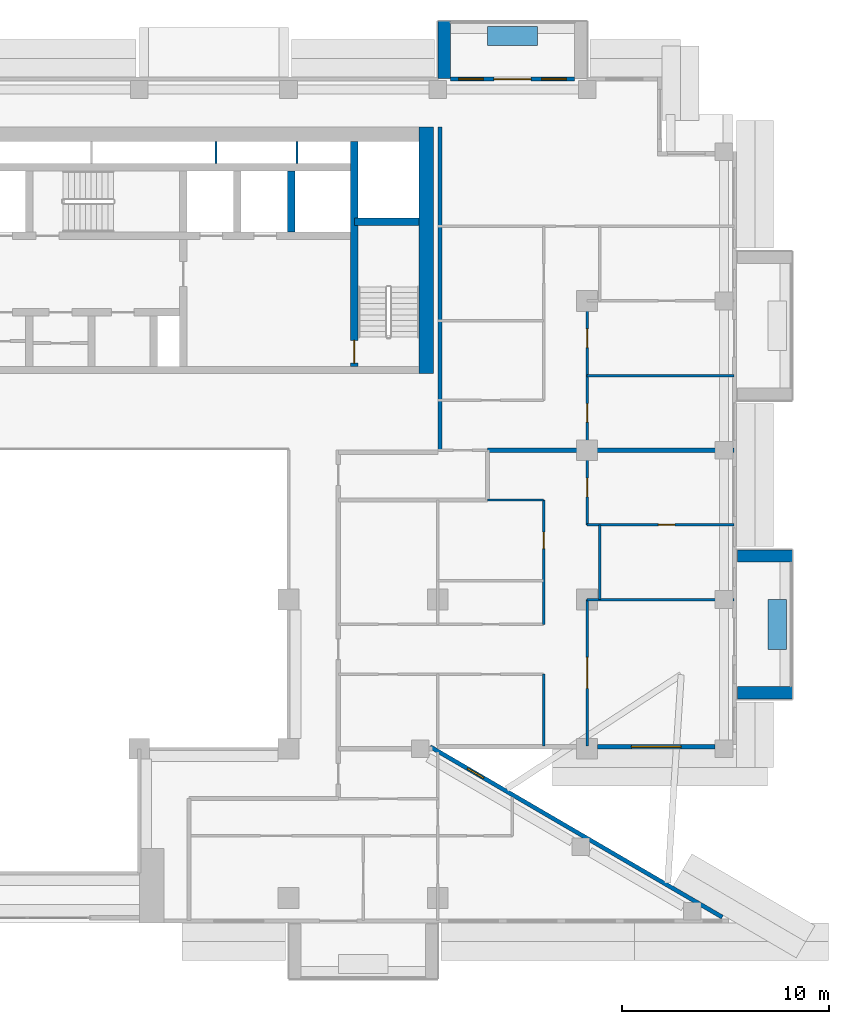
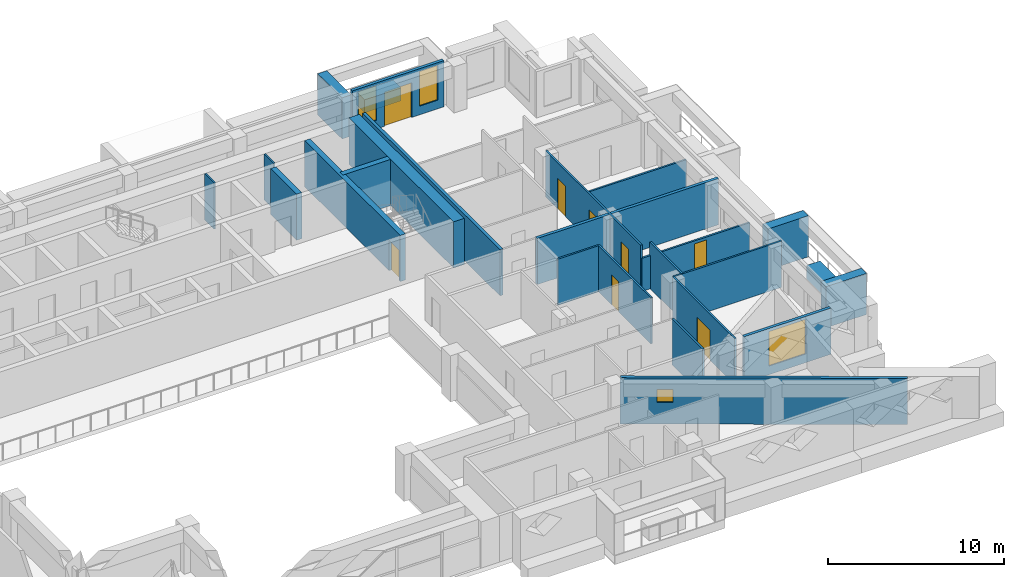
# One storey, part 11 of 20: 25 walls, 8 doors, 4 windows, 12 openings.
"""IFC4 building model written with IfcOpenShell, lengths in metres."""

from ifc_helpers import new_model, si_unit, direction, frame, frame_2d, origin, place, context, subcontext, project, spatial, rectangle, extrude, material, layer, layer_set, type_object, element, fill, save


model = new_model("IFC4")

# Units and contexts
model_context = context("Model", 3, precision=1e-05, world=origin(), true_north=direction((0.0, 1.0)))
body_context = subcontext(model_context, "Body", "Model", "MODEL_VIEW")
ifc_project = project(units=[si_unit("LENGTHUNIT", "METRE"), si_unit("AREAUNIT", "SQUARE_METRE"), si_unit("VOLUMEUNIT", "CUBIC_METRE"), si_unit("PLANEANGLEUNIT", "RADIAN"), si_unit("MASSUNIT", "GRAM", prefix="KILO")], contexts=[model_context])

# Site, building, storey
site_placement = place(None, origin())
site = spatial("IfcSite", under=ifc_project, at=site_placement, CompositionType="ELEMENT")
building_placement = place(site_placement, origin())
building = spatial("IfcBuilding", under=site, at=building_placement, Name="Saffron Iwan Residences", CompositionType="ELEMENT")
storey_placement = place(building_placement, frame((0.0, 0.0, 167.5)))
storey = spatial("IfcBuildingStorey", under=building, at=storey_placement, Name="L44", CompositionType="ELEMENT", Elevation=167.5)

# Walls
ifc_material_1 = material(Name="Concrete C50/60 white painted", Category="concrete")
ifc_layer_1 = layer(ifc_material_1, 0.60009765625)
ifc_layer_set_1 = layer_set([ifc_layer_1], Name="Concrete C50/60 white painted")
wall_type_1 = type_object("IfcWallType", Name="BALCONY FIN 600", PredefinedType="SOLIDWALL", material=ifc_layer_set_1)
for number, where, z_axis, x_axis, name in (
    (1, (86.449951171875, 50.699951171875, 0.0), (0.0, 0.0, 1.0), (1.0, 0.0, 0.0), "Balcony fin L44 F2-0a"),
    (2, (86.449951171875, 57.300048828125, 0.0), (0.0, 0.0, 1.0), (1.0, 0.0, 0.0), "Balcony fin L44 F2-0b"),
):
    element("IfcWall", number, at=place(storey_placement, frame(where, z_axis=z_axis, x_axis=x_axis)), inside=storey, type_object=wall_type_1, Name=name, PredefinedType="SOLIDWALL", context=body_context, shape_type="SweptSolid", body=[
        extrude(rectangle(XDim=2.650146484375, YDim=0.60009765625, at=frame_2d((1.3251953125, 0.0))), origin(), (0.0, 0.0, 1.0), 2.85009765625),
    ])
wall_1_placement = place(storey_placement, frame((72.300048828125, 80.324951171875, 0.0), z_axis=(0.0, 0.0, 1.0), x_axis=(0.0, 1.0, 0.0)))
element("IfcWall", 3, at=wall_1_placement, inside=storey, type_object=wall_type_1, Name="Balcony fin L44 F5-0b", PredefinedType="SOLIDWALL", context=body_context, shape_type="SweptSolid", body=[
    extrude(rectangle(XDim=2.775146484375, YDim=0.60009765625, at=frame_2d((1.3876953125, 0.0))), origin(), (0.0, 0.0, 1.0), 2.85009765625),
])
ifc_material_2 = material(Name="Concrete C35/45 white painted", Category="concrete")
ifc_layer_2 = layer(ifc_material_2, 0.14990234375)
ifc_layer_set_2 = layer_set([ifc_layer_2], Name="Concrete C35/45 white painted")
wall_type_2 = type_object("IfcWallType", Name="BALCONY PLANTER", PredefinedType="SOLIDWALL", material=ifc_layer_set_2)
wall_2_placement = place(storey_placement, frame((88.375, 52.800048828125, 0.0), z_axis=(0.0, 0.0, 1.0), x_axis=(0.0, 1.0, 0.0)))
element("IfcWall", 4, at=wall_2_placement, inside=storey, type_object=wall_type_2, Name="PLANTER L44 F2-0", PredefinedType="SOLIDWALL", context=body_context, shape_type="SweptSolid", body=[
    extrude(rectangle(XDim=2.39990234375, YDim=0.89990234375, at=frame_2d((1.199951171875, 0.0))), origin(), (0.0, 0.0, 1.0), 0.89990234375),
])
wall_3_placement = place(storey_placement, frame((76.800048828125, 82.375, 0.0), z_axis=(0.0, 0.0, 1.0), x_axis=(-1.0, 0.0, 0.0)))
element("IfcWall", 5, at=wall_3_placement, inside=storey, type_object=wall_type_2, Name="PLANTER L44 F5-0", PredefinedType="SOLIDWALL", context=body_context, shape_type="SweptSolid", body=[
    extrude(rectangle(XDim=2.400146484375, YDim=0.89990234375, at=frame_2d((1.2001953125, 0.0))), origin(), (0.0, 0.0, 1.0), 0.89990234375),
])

# Wall, opening, window
ifc_material_3 = material(Name="Concrete C40/50", Category="concrete")
ifc_layer_3 = layer(ifc_material_3, 0.199951171875)
ifc_layer_set_3 = layer_set([ifc_layer_3], Name="Concrete C40/50")
wall_type_3 = type_object("IfcWallType", Name="EXTERNAL WALL 200", PredefinedType="SOLIDWALL", material=ifc_layer_set_3)
wall_4_placement = place(storey_placement, frame((85.71923828125, 39.88134765625, 0.0), z_axis=(0.0, 0.0, 1.0), x_axis=(-0.86377618652, 0.503875678716, 0.0)))
wall_4 = element("IfcWall", 6, at=wall_4_placement, inside=storey, type_object=wall_type_3, Name="External wall L44 F0.0", PredefinedType="SOLIDWALL", context=body_context, shape_type="SweptSolid", body=[
    extrude(rectangle(XDim=16.31103515625, YDim=0.199951171875, at=frame_2d((8.155517578125, 0.0))), origin(), (0.0, 0.0, 1.0), 3.199951171875),
])
opening_1_placement = place(wall_4_placement, frame((13.32568359375, 0.0, 1.5)))
opening_1 = element("IfcOpeningElement", 7, at=opening_1_placement, cuts=wall_4, Name="Opening W6", PredefinedType="OPENING", context=body_context, shape_type="SweptSolid", body=[
    extrude(rectangle(XDim=0.89990234375, YDim=0.89990234375, at=frame_2d((0.449951171875, 0.449951171875))), frame((0.0, 0.10986328125, 0.0), z_axis=(0.0, -1.0, 0.0), x_axis=(1.0, 0.0, 0.0)), (0.0, 0.0, 1.0), 0.219970703125),
])
ifc_material_4 = material(Name="Clear glass, laminated double glazed", Category="glass")
window_type_1 = type_object("IfcWindowType", Name="WINDOW 900 x 900 BATH", PartitioningType="SINGLE_PANEL", PredefinedType="WINDOW", material=ifc_material_4)
window_1_placement = place(opening_1_placement, origin())
window_1 = element("IfcWindow", 8, at=window_1_placement, inside=storey, type_object=window_type_1, Name="Window L44 F0.0", OverallHeight=0.89990234375, OverallWidth=0.89990234375, PartitioningType="SINGLE_PANEL", PredefinedType="WINDOW", context=body_context, shape_type="SweptSolid", body=[
    extrude(rectangle(XDim=0.89990234375, YDim=0.89990234375, at=frame_2d((0.449951171875, 0.449951171875))), frame((0.0, 0.030029296875, 0.0), z_axis=(0.0, -1.0, 0.0), x_axis=(1.0, 0.0, 0.0)), (0.0, 0.0, 1.0), 0.06005859375),
])
fill(opening_1, window_1)

wall_5_placement = place(storey_placement, frame((79.699951171875, 48.10009765625, 0.0), z_axis=(0.0, 0.0, 1.0), x_axis=(1.0, 0.0, 0.0)))
wall_5 = element("IfcWall", 9, at=wall_5_placement, inside=storey, type_object=wall_type_3, Name="External wall L44 F1.1", PredefinedType="SOLIDWALL", context=body_context, shape_type="SweptSolid", body=[
    extrude(rectangle(XDim=5.675048828125, YDim=0.199951171875, at=frame_2d((2.83740234375, 0.0))), origin(), (0.0, 0.0, 1.0), 3.199951171875),
])
opening_2_placement = place(wall_5_placement, frame((1.637451171875, 0.0, 0.60009765625)))
opening_2 = element("IfcOpeningElement", 10, at=opening_2_placement, cuts=wall_5, Name="Opening W1", PredefinedType="OPENING", context=body_context, shape_type="SweptSolid", body=[
    extrude(rectangle(XDim=2.39990234375, YDim=2.39990234375, at=frame_2d((1.199951171875, 1.199951171875))), frame((0.0, 0.10986328125, 0.0), z_axis=(0.0, -1.0, 0.0), x_axis=(1.0, 0.0, 0.0)), (0.0, 0.0, 1.0), 0.219970703125),
])
window_type_2 = type_object("IfcWindowType", Name="WINDOW 2400 x 2400", PartitioningType="DOUBLE_PANEL_VERTICAL", PredefinedType="WINDOW", material=ifc_material_4)
window_2_placement = place(opening_2_placement, origin())
window_2 = element("IfcWindow", 11, at=window_2_placement, inside=storey, type_object=window_type_2, Name="Window L44 F1.0", OverallHeight=2.39990234375, OverallWidth=2.39990234375, PartitioningType="DOUBLE_PANEL_VERTICAL", PredefinedType="WINDOW", context=body_context, shape_type="SweptSolid", body=[
    extrude(rectangle(XDim=2.39990234375, YDim=2.39990234375, at=frame_2d((1.199951171875, 1.199951171875))), frame((0.0, 0.030029296875, 0.0), z_axis=(0.0, -1.0, 0.0), x_axis=(1.0, 0.0, 0.0)), (0.0, 0.0, 1.0), 0.06005859375),
])
fill(opening_2, window_2)

# Wall, openings, door, windows
wall_6_placement = place(storey_placement, frame((78.60009765625, 80.300048828125, 0.0), z_axis=(0.0, 0.0, 1.0), x_axis=(-1.0, 0.0, 0.0)))
wall_6 = element("IfcWall", 12, at=wall_6_placement, inside=storey, type_object=wall_type_3, Name="External wall L44 F5.1", PredefinedType="SOLIDWALL", context=body_context, shape_type="SweptSolid", body=[
    extrude(rectangle(XDim=6.0, YDim=0.199951171875, at=frame_2d((3.0, 0.0))), origin(), (0.0, 0.0, 1.0), 3.199951171875),
])
opening_3_placement = place(wall_6_placement, frame((2.10009765625, 0.0, 0.0)))
opening_3 = element("IfcOpeningElement", 13, at=opening_3_placement, cuts=wall_6, Name="Opening BD1", PredefinedType="OPENING", context=body_context, shape_type="SweptSolid", body=[
    extrude(rectangle(XDim=1.800048828125, YDim=2.39990234375, at=frame_2d((0.89990234375, 1.199951171875))), frame((0.0, 0.10986328125, 0.0), z_axis=(0.0, -1.0, 0.0), x_axis=(1.0, 0.0, 0.0)), (0.0, 0.0, 1.0), 0.219970703125),
])
opening_4_placement = place(wall_6_placement, frame((0.39990234375, 0.0, 0.60009765625)))
opening_4 = element("IfcOpeningElement", 14, at=opening_4_placement, cuts=wall_6, Name="Opening W3", PredefinedType="OPENING", context=body_context, shape_type="SweptSolid", body=[
    extrude(rectangle(XDim=1.199951171875, YDim=2.39990234375, at=frame_2d((0.60009765625, 1.199951171875))), frame((0.0, 0.10986328125, 0.0), z_axis=(0.0, -1.0, 0.0), x_axis=(1.0, 0.0, 0.0)), (0.0, 0.0, 1.0), 0.219970703125),
])
opening_5_placement = place(wall_6_placement, frame((4.39990234375, 0.0, 0.60009765625)))
opening_5 = element("IfcOpeningElement", 15, at=opening_5_placement, cuts=wall_6, Name="Opening W3", PredefinedType="OPENING", context=body_context, shape_type="SweptSolid", body=[
    extrude(rectangle(XDim=1.199951171875, YDim=2.39990234375, at=frame_2d((0.60009765625, 1.199951171875))), frame((0.0, 0.10986328125, 0.0), z_axis=(0.0, -1.0, 0.0), x_axis=(1.0, 0.0, 0.0)), (0.0, 0.0, 1.0), 0.219970703125),
])
door_type_1 = type_object("IfcDoorType", Name="BALCONY DOOR 1800 x 2400", OperationType="DOUBLE_DOOR_SLIDING", PredefinedType="DOOR", material=ifc_material_4)
door_1_placement = place(opening_3_placement, origin())
door_1 = element("IfcDoor", 16, at=door_1_placement, inside=storey, type_object=door_type_1, Name="Balcony door L44 F5.0", OperationType="DOUBLE_DOOR_SLIDING", OverallHeight=2.39990234375, OverallWidth=1.800048828125, PredefinedType="DOOR", context=body_context, shape_type="SweptSolid", body=[
    extrude(rectangle(XDim=1.800048828125, YDim=2.39990234375, at=frame_2d((0.89990234375, 1.199951171875))), frame((0.0, 0.02490234375, 0.0), z_axis=(0.0, -1.0, 0.0), x_axis=(1.0, 0.0, 0.0)), (0.0, 0.0, 1.0), 0.050048828125),
])
fill(opening_3, door_1)
window_type_3 = type_object("IfcWindowType", Name="WINDOW 1200 x 2400", PartitioningType="SINGLE_PANEL", PredefinedType="WINDOW", material=ifc_material_4)
window_3_placement = place(opening_4_placement, origin())
window_3 = element("IfcWindow", 17, at=window_3_placement, inside=storey, type_object=window_type_3, Name="Window L44 F5.1", OverallHeight=2.39990234375, OverallWidth=1.199951171875, PartitioningType="SINGLE_PANEL", PredefinedType="WINDOW", context=body_context, shape_type="SweptSolid", body=[
    extrude(rectangle(XDim=1.199951171875, YDim=2.39990234375, at=frame_2d((0.60009765625, 1.199951171875))), frame((0.0, 0.030029296875, 0.0), z_axis=(0.0, -1.0, 0.0), x_axis=(1.0, 0.0, 0.0)), (0.0, 0.0, 1.0), 0.06005859375),
])
fill(opening_4, window_3)
window_4_placement = place(opening_5_placement, origin())
window_4 = element("IfcWindow", 18, at=window_4_placement, inside=storey, type_object=window_type_3, Name="Window L44 F5.2", OverallHeight=2.39990234375, OverallWidth=1.199951171875, PartitioningType="SINGLE_PANEL", PredefinedType="WINDOW", context=body_context, shape_type="SweptSolid", body=[
    extrude(rectangle(XDim=1.199951171875, YDim=2.39990234375, at=frame_2d((0.60009765625, 1.199951171875))), frame((0.0, 0.030029296875, 0.0), z_axis=(0.0, -1.0, 0.0), x_axis=(1.0, 0.0, 0.0)), (0.0, 0.0, 1.0), 0.06005859375),
])
fill(opening_5, window_4)

# Walls
ifc_material_5 = material(Name="Fire-rated gypsum board wall")
ifc_layer_4 = layer(ifc_material_5, 0.199951171875)
ifc_layer_set_4 = layer_set([ifc_layer_4], Name="Fire-rated gypsum board wall")
wall_type_4 = type_object("IfcWallType", Name="Flat demising wall 200", PredefinedType="SOLIDWALL", material=ifc_layer_set_4)
wall_7_placement = place(storey_placement, frame((74.39990234375, 62.39990234375, 0.0), z_axis=(0.0, 0.0, 1.0), x_axis=(1.0, 0.0, 0.0)))
element("IfcWall", 19, at=wall_7_placement, inside=storey, type_object=wall_type_4, Name="W-L44-DEMISE-h62.4-74.4", PredefinedType="SOLIDWALL", context=body_context, shape_type="SweptSolid", body=[
    extrude(rectangle(XDim=11.875, YDim=0.199951171875, at=frame_2d((5.9375, 0.0))), origin(), (0.0, 0.0, 1.0), 3.199951171875),
])
ifc_material_6 = material(Name="Gypsum board partition")
ifc_layer_5 = layer(ifc_material_6, 0.1201171875)
ifc_layer_set_5 = layer_set([ifc_layer_5], Name="Gypsum board partition")
wall_type_5 = type_object("IfcWallType", Name="Flat partition 120", PredefinedType="PARTITIONING", material=ifc_layer_set_5)
wall_8_placement = place(storey_placement, frame((79.199951171875, 55.199951171875, 0.0), z_axis=(0.0, 0.0, 1.0), x_axis=(1.0, 0.0, 0.0)))
element("IfcWall", 20, at=wall_8_placement, inside=storey, type_object=wall_type_5, Name="W-L44-PART-h55.2-79.2", PredefinedType="PARTITIONING", context=body_context, shape_type="SweptSolid", body=[
    extrude(rectangle(XDim=7.074951171875, YDim=0.1201171875, at=frame_2d((3.53759765625, 0.0))), origin(), (0.0, 0.0, 1.0), 3.199951171875),
])

# Wall, opening, door
wall_9_placement = place(storey_placement, frame((79.199951171875, 58.800048828125, 0.0), z_axis=(0.0, 0.0, 1.0), x_axis=(1.0, 0.0, 0.0)))
wall_9 = element("IfcWall", 21, at=wall_9_placement, inside=storey, type_object=wall_type_5, Name="W-L44-PART-h58.8-79.2", PredefinedType="PARTITIONING", context=body_context, shape_type="SweptSolid", body=[
    extrude(rectangle(XDim=7.074951171875, YDim=0.1201171875, at=frame_2d((3.53759765625, 0.0))), origin(), (0.0, 0.0, 1.0), 2.300048828125),
])
opening_6_placement = place(wall_9_placement, frame((3.4375, 0.0, 0.0)))
opening_6 = element("IfcOpeningElement", 22, at=opening_6_placement, cuts=wall_9, Name="Opening FD3", PredefinedType="OPENING", context=body_context, shape_type="SweptSolid", body=[
    extrude(rectangle(XDim=0.800048828125, YDim=2.10009765625, at=frame_2d((0.39990234375, 1.050048828125))), frame((0.0, 0.070068359375, 0.0), z_axis=(0.0, -1.0, 0.0), x_axis=(1.0, 0.0, 0.0)), (0.0, 0.0, 1.0), 0.14013671875),
])
ifc_material_7 = material(Name="Timber door", Category="wood")
door_type_2 = type_object("IfcDoorType", Name="Bathroom door 800", OperationType="NOTDEFINED", PredefinedType="DOOR", material=ifc_material_7)
door_2_placement = place(opening_6_placement, origin())
door_2 = element("IfcDoor", 23, at=door_2_placement, inside=storey, type_object=door_type_2, Name="Door L44-019", OperationType="SINGLE_SWING_LEFT", OverallHeight=2.10009765625, OverallWidth=0.800048828125, PredefinedType="DOOR", context=body_context, shape_type="SweptSolid", body=[
    extrude(rectangle(XDim=0.800048828125, YDim=2.10009765625, at=frame_2d((0.39990234375, 1.050048828125))), frame((0.0, 0.02490234375, 0.0), z_axis=(0.0, -1.0, 0.0), x_axis=(1.0, 0.0, 0.0)), (0.0, 0.0, 1.0), 0.050048828125),
])
fill(opening_6, door_2)

# Walls
wall_10_placement = place(storey_placement, frame((74.39990234375, 60.0, 0.0), z_axis=(0.0, 0.0, 1.0), x_axis=(1.0, 0.0, 0.0)))
element("IfcWall", 24, at=wall_10_placement, inside=storey, type_object=wall_type_5, Name="W-L44-PART-h60-74.4", PredefinedType="PARTITIONING", context=body_context, shape_type="SweptSolid", body=[
    extrude(rectangle(XDim=2.7001953125, YDim=0.1201171875, at=frame_2d((1.35009765625, 0.0))), origin(), (0.0, 0.0, 1.0), 3.199951171875),
])
wall_11_placement = place(storey_placement, frame((79.199951171875, 66.0, 0.0), z_axis=(0.0, 0.0, 1.0), x_axis=(1.0, 0.0, 0.0)))
element("IfcWall", 25, at=wall_11_placement, inside=storey, type_object=wall_type_5, Name="W-L44-PART-h66-79.2", PredefinedType="PARTITIONING", context=body_context, shape_type="SweptSolid", body=[
    extrude(rectangle(XDim=7.074951171875, YDim=0.1201171875, at=frame_2d((3.53759765625, 0.0))), origin(), (0.0, 0.0, 1.0), 2.300048828125),
])
wall_12_placement = place(storey_placement, frame((77.10009765625, 48.125, 0.0), z_axis=(0.0, 0.0, 1.0), x_axis=(0.0, 1.0, 0.0)))
element("IfcWall", 26, at=wall_12_placement, inside=storey, type_object=wall_type_5, Name="W-L44-PART-v77.1-48.125", PredefinedType="PARTITIONING", context=body_context, shape_type="SweptSolid", body=[
    extrude(rectangle(XDim=3.47509765625, YDim=0.1201171875, at=frame_2d((1.737548828125, 0.0))), origin(), (0.0, 0.0, 1.0), 3.199951171875),
])

# Wall, opening, door
wall_13_placement = place(storey_placement, frame((77.10009765625, 54.0, 0.0), z_axis=(0.0, 0.0, 1.0), x_axis=(0.0, 1.0, 0.0)))
wall_13 = element("IfcWall", 27, at=wall_13_placement, inside=storey, type_object=wall_type_5, Name="W-L44-PART-v77.1-54", PredefinedType="PARTITIONING", context=body_context, shape_type="SweptSolid", body=[
    extrude(rectangle(XDim=6.0, YDim=0.1201171875, at=frame_2d((3.0, 0.0))), origin(), (0.0, 0.0, 1.0), 3.199951171875),
])
opening_7_placement = place(wall_13_placement, frame((3.64990234375, 0.0, 0.0)))
opening_7 = element("IfcOpeningElement", 28, at=opening_7_placement, cuts=wall_13, Name="Opening FD3", PredefinedType="OPENING", context=body_context, shape_type="SweptSolid", body=[
    extrude(rectangle(XDim=0.800048828125, YDim=2.10009765625, at=frame_2d((0.39990234375, 1.050048828125))), frame((0.0, 0.070068359375, 0.0), z_axis=(0.0, -1.0, 0.0), x_axis=(1.0, 0.0, 0.0)), (0.0, 0.0, 1.0), 0.14013671875),
])
door_3_placement = place(opening_7_placement, origin())
door_3 = element("IfcDoor", 29, at=door_3_placement, inside=storey, type_object=door_type_2, Name="Door L44-022", OperationType="SINGLE_SWING_LEFT", OverallHeight=2.10009765625, OverallWidth=0.800048828125, PredefinedType="DOOR", context=body_context, shape_type="SweptSolid", body=[
    extrude(rectangle(XDim=0.800048828125, YDim=2.10009765625, at=frame_2d((0.39990234375, 1.050048828125))), frame((0.0, 0.02490234375, 0.0), z_axis=(0.0, -1.0, 0.0), x_axis=(1.0, 0.0, 0.0)), (0.0, 0.0, 1.0), 0.050048828125),
])
fill(opening_7, door_3)

wall_14_placement = place(storey_placement, frame((79.199951171875, 48.125, 0.0), z_axis=(0.0, 0.0, 1.0), x_axis=(0.0, 1.0, 0.0)))
wall_14 = element("IfcWall", 30, at=wall_14_placement, inside=storey, type_object=wall_type_5, Name="W-L44-PART-v79.2-48.125", PredefinedType="PARTITIONING", context=body_context, shape_type="SweptSolid", body=[
    extrude(rectangle(XDim=7.074951171875, YDim=0.1201171875, at=frame_2d((3.53759765625, 0.0))), origin(), (0.0, 0.0, 1.0), 3.199951171875),
])
opening_8_placement = place(wall_14_placement, frame((2.78759765625, 0.0, 0.0)))
opening_8 = element("IfcOpeningElement", 31, at=opening_8_placement, cuts=wall_14, Name="Opening FD4", PredefinedType="OPENING", context=body_context, shape_type="SweptSolid", body=[
    extrude(rectangle(XDim=1.5, YDim=2.10009765625, at=frame_2d((0.75, 1.050048828125))), frame((0.0, 0.070068359375, 0.0), z_axis=(0.0, -1.0, 0.0), x_axis=(1.0, 0.0, 0.0)), (0.0, 0.0, 1.0), 0.14013671875),
])
door_type_3 = type_object("IfcDoorType", Name="Double door 1500", OperationType="NOTDEFINED", PredefinedType="DOOR", material=ifc_material_7)
door_4_placement = place(opening_8_placement, origin())
door_4 = element("IfcDoor", 32, at=door_4_placement, inside=storey, type_object=door_type_3, Name="Door L44-017", OperationType="SINGLE_SWING_RIGHT", OverallHeight=2.10009765625, OverallWidth=1.5, PredefinedType="DOOR", context=body_context, shape_type="SweptSolid", body=[
    extrude(rectangle(XDim=1.5, YDim=2.10009765625, at=frame_2d((0.75, 1.050048828125))), frame((0.0, 0.02490234375, 0.0), z_axis=(0.0, -1.0, 0.0), x_axis=(1.0, 0.0, 0.0)), (0.0, 0.0, 1.0), 0.050048828125),
])
fill(opening_8, door_4)

# Wall, openings, doors
wall_15_placement = place(storey_placement, frame((79.199951171875, 58.800048828125, 0.0), z_axis=(0.0, 0.0, 1.0), x_axis=(0.0, 1.0, 0.0)))
wall_15 = element("IfcWall", 33, at=wall_15_placement, inside=storey, type_object=wall_type_5, Name="W-L44-PART-v79.2-58.8", PredefinedType="PARTITIONING", context=body_context, shape_type="SweptSolid", body=[
    extrude(rectangle(XDim=10.800048828125, YDim=0.1201171875, at=frame_2d((5.39990234375, 0.0))), origin(), (0.0, 0.0, 1.0), 3.199951171875),
])
opening_9_placement = place(wall_15_placement, frame((1.35009765625, 0.0, 0.0)))
opening_9 = element("IfcOpeningElement", 34, at=opening_9_placement, cuts=wall_15, Name="Opening FD2", PredefinedType="OPENING", context=body_context, shape_type="SweptSolid", body=[
    extrude(rectangle(XDim=0.89990234375, YDim=2.10009765625, at=frame_2d((0.449951171875, 1.050048828125))), frame((0.0, 0.070068359375, 0.0), z_axis=(0.0, -1.0, 0.0), x_axis=(1.0, 0.0, 0.0)), (0.0, 0.0, 1.0), 0.14013671875),
])
opening_10_placement = place(wall_15_placement, frame((4.949951171875, 0.0, 0.0)))
opening_10 = element("IfcOpeningElement", 35, at=opening_10_placement, cuts=wall_15, Name="Opening FD2", PredefinedType="OPENING", context=body_context, shape_type="SweptSolid", body=[
    extrude(rectangle(XDim=0.89990234375, YDim=2.10009765625, at=frame_2d((0.449951171875, 1.050048828125))), frame((0.0, 0.070068359375, 0.0), z_axis=(0.0, -1.0, 0.0), x_axis=(1.0, 0.0, 0.0)), (0.0, 0.0, 1.0), 0.14013671875),
])
opening_11_placement = place(wall_15_placement, frame((8.550048828125, 0.0, 0.0)))
opening_11 = element("IfcOpeningElement", 36, at=opening_11_placement, cuts=wall_15, Name="Opening FD2", PredefinedType="OPENING", context=body_context, shape_type="SweptSolid", body=[
    extrude(rectangle(XDim=0.89990234375, YDim=2.10009765625, at=frame_2d((0.449951171875, 1.050048828125))), frame((0.0, 0.070068359375, 0.0), z_axis=(0.0, -1.0, 0.0), x_axis=(1.0, 0.0, 0.0)), (0.0, 0.0, 1.0), 0.14013671875),
])
door_type_4 = type_object("IfcDoorType", Name="Flat door 900", OperationType="NOTDEFINED", PredefinedType="DOOR", material=ifc_material_7)
door_5_placement = place(opening_9_placement, origin())
door_5 = element("IfcDoor", 37, at=door_5_placement, inside=storey, type_object=door_type_4, Name="Door L44-018", OperationType="SINGLE_SWING_LEFT", OverallHeight=2.10009765625, OverallWidth=0.89990234375, PredefinedType="DOOR", context=body_context, shape_type="SweptSolid", body=[
    extrude(rectangle(XDim=0.89990234375, YDim=2.10009765625, at=frame_2d((0.449951171875, 1.050048828125))), frame((0.0, 0.02490234375, 0.0), z_axis=(0.0, -1.0, 0.0), x_axis=(1.0, 0.0, 0.0)), (0.0, 0.0, 1.0), 0.050048828125),
])
fill(opening_9, door_5)
door_6_placement = place(opening_10_placement, origin())
door_6 = element("IfcDoor", 38, at=door_6_placement, inside=storey, type_object=door_type_4, Name="Door L44-035", OperationType="SINGLE_SWING_RIGHT", OverallHeight=2.10009765625, OverallWidth=0.89990234375, PredefinedType="DOOR", context=body_context, shape_type="SweptSolid", body=[
    extrude(rectangle(XDim=0.89990234375, YDim=2.10009765625, at=frame_2d((0.449951171875, 1.050048828125))), frame((0.0, 0.02490234375, 0.0), z_axis=(0.0, -1.0, 0.0), x_axis=(1.0, 0.0, 0.0)), (0.0, 0.0, 1.0), 0.050048828125),
])
fill(opening_10, door_6)
door_7_placement = place(opening_11_placement, origin())
door_7 = element("IfcDoor", 39, at=door_7_placement, inside=storey, type_object=door_type_4, Name="Door L44-036", OperationType="SINGLE_SWING_LEFT", OverallHeight=2.10009765625, OverallWidth=0.89990234375, PredefinedType="DOOR", context=body_context, shape_type="SweptSolid", body=[
    extrude(rectangle(XDim=0.89990234375, YDim=2.10009765625, at=frame_2d((0.449951171875, 1.050048828125))), frame((0.0, 0.02490234375, 0.0), z_axis=(0.0, -1.0, 0.0), x_axis=(1.0, 0.0, 0.0)), (0.0, 0.0, 1.0), 0.050048828125),
])
fill(opening_11, door_7)

# Walls
wall_16_placement = place(storey_placement, frame((79.800048828125, 55.199951171875, 0.0), z_axis=(0.0, 0.0, 1.0), x_axis=(0.0, 1.0, 0.0)))
element("IfcWall", 40, at=wall_16_placement, inside=storey, type_object=wall_type_5, Name="W-L44-PART-v79.8-55.2", PredefinedType="PARTITIONING", context=body_context, shape_type="SweptSolid", body=[
    extrude(rectangle(XDim=3.60009765625, YDim=0.1201171875, at=frame_2d((1.800048828125, 0.0))), origin(), (0.0, 0.0, 1.0), 3.199951171875),
])
ifc_layer_6 = layer(ifc_material_5, 0.199951171875)
ifc_layer_set_6 = layer_set([ifc_layer_6], Name="Fire-rated gypsum board wall")
wall_type_6 = type_object("IfcWallType", Name="Gallery wall 200", PredefinedType="SOLIDWALL", material=ifc_layer_set_6)
wall_17_placement = place(storey_placement, frame((72.10009765625, 62.39990234375, 0.0), z_axis=(0.0, 0.0, 1.0), x_axis=(0.0, 1.0, 0.0)))
element("IfcWall", 41, at=wall_17_placement, inside=storey, type_object=wall_type_6, Name="W-L44-CORR-v72-62.4", PredefinedType="SOLIDWALL", context=body_context, shape_type="SweptSolid", body=[
    extrude(rectangle(XDim=15.60009765625, YDim=0.199951171875, at=frame_2d((7.800048828125, 0.0))), origin(), (0.0, 0.0, 1.0), 3.199951171875),
])
ifc_material_8 = material(Name="Fire-rated plasterboard partition")
ifc_layer_7 = layer(ifc_material_8, 0.10009765625)
ifc_layer_set_7 = layer_set([ifc_layer_7], Name="Fire-rated plasterboard partition")
wall_type_7 = type_object("IfcWallType", Name="Riser partition 100", PredefinedType="PARTITIONING", material=ifc_layer_set_7)
for number, where, z_axis, x_axis, name in (
    (42, (61.300048828125, 76.22509765625, 0.0), (0.0, 0.0, 1.0), (0.0, 1.0, 0.0), "Core partition P10"),
    (43, (65.199951171875, 76.22509765625, 0.0), (0.0, 0.0, 1.0), (0.0, 1.0, 0.0), "Core partition P11"),
):
    element("IfcWall", number, at=place(storey_placement, frame(where, z_axis=z_axis, x_axis=x_axis)), inside=storey, type_object=wall_type_7, Name=name, PredefinedType="PARTITIONING", context=body_context, shape_type="SweptSolid", body=[
        extrude(rectangle(XDim=1.074951171875, YDim=0.10009765625, at=frame_2d((0.53759765625, 0.0))), origin(), (0.0, 0.0, 1.0), 3.199951171875),
    ])
ifc_material_9 = material(Name="Concrete C50/60", Category="concrete")
ifc_layer_8 = layer(ifc_material_9, 0.35009765625)
ifc_layer_set_8 = layer_set([ifc_layer_8], Name="Concrete C50/60")
wall_type_8 = type_object("IfcWallType", Name="WALL CORE 350 C50/60 3200 HIGH", PredefinedType="SHEAR", material=ifc_layer_set_8)
wall_18_placement = place(storey_placement, frame((67.97509765625, 73.425048828125, 0.0), z_axis=(0.0, 0.0, 1.0), x_axis=(1.0, 0.0, 0.0)))
element("IfcWall", 44, at=wall_18_placement, inside=storey, type_object=wall_type_8, Name="Core wall", PredefinedType="SHEAR", context=body_context, shape_type="SweptSolid", body=[
    extrude(rectangle(XDim=3.125, YDim=0.35009765625, at=frame_2d((1.5625, 0.0))), origin(), (0.0, 0.0, 1.0), 3.199951171875),
])

# Wall, opening, door
wall_19_placement = place(storey_placement, frame((67.97509765625, 66.449951171875, 0.0), z_axis=(0.0, 0.0, 1.0), x_axis=(0.0, 1.0, 0.0)))
wall_19 = element("IfcWall", 45, at=wall_19_placement, inside=storey, type_object=wall_type_8, Name="Core wall", PredefinedType="SHEAR", context=body_context, shape_type="SweptSolid", body=[
    extrude(rectangle(XDim=10.85009765625, YDim=0.35009765625, at=frame_2d((5.425048828125, 0.0))), origin(), (0.0, 0.0, 1.0), 3.199951171875),
])
opening_12_placement = place(wall_19_placement, frame((0.14990234375, 0.0, 0.0)))
opening_12 = element("IfcOpeningElement", 46, at=opening_12_placement, cuts=wall_19, Name="Opening SD", PredefinedType="OPENING", context=body_context, shape_type="SweptSolid", body=[
    extrude(rectangle(XDim=1.10009765625, YDim=2.10009765625, at=frame_2d((0.550048828125, 1.050048828125))), frame((0.0, 0.18505859375, 0.0), z_axis=(0.0, -1.0, 0.0), x_axis=(1.0, 0.0, 0.0)), (0.0, 0.0, 1.0), 0.3701171875),
])
ifc_material_10 = material(Name="Steel fire door", Category="steel")
door_type_5 = type_object("IfcDoorType", Name="Stair door 1100", OperationType="NOTDEFINED", PredefinedType="DOOR", material=ifc_material_10)
door_8_placement = place(opening_12_placement, origin())
door_8 = element("IfcDoor", 47, at=door_8_placement, inside=storey, type_object=door_type_5, Name="Stair door ST-E", OperationType="SINGLE_SWING_LEFT", OverallHeight=2.10009765625, OverallWidth=1.10009765625, PredefinedType="DOOR", context=body_context, shape_type="SweptSolid", body=[
    extrude(rectangle(XDim=1.10009765625, YDim=2.10009765625, at=frame_2d((0.550048828125, 1.050048828125))), frame((0.0, 0.02490234375, 0.0), z_axis=(0.0, -1.0, 0.0), x_axis=(1.0, 0.0, 0.0)), (0.0, 0.0, 1.0), 0.050048828125),
])
fill(opening_12, door_8)

# Walls
wall_20_placement = place(storey_placement, frame((64.925048828125, 72.925048828125, 0.0), z_axis=(0.0, 0.0, 1.0), x_axis=(0.0, 1.0, 0.0)))
element("IfcWall", 48, at=wall_20_placement, inside=storey, type_object=wall_type_8, Name="Core wall", PredefinedType="SHEAR", context=body_context, shape_type="SweptSolid", body=[
    extrude(rectangle(XDim=2.949951171875, YDim=0.35009765625, at=frame_2d((1.47509765625, 0.0))), origin(), (0.0, 0.0, 1.0), 3.199951171875),
])
ifc_layer_9 = layer(ifc_material_9, 0.699951171875)
ifc_layer_set_9 = layer_set([ifc_layer_9], Name="Concrete C50/60")
wall_type_9 = type_object("IfcWallType", Name="WALL CORE 700 C50/60 3200 HIGH", PredefinedType="SHEAR", material=ifc_layer_set_9)
wall_21_placement = place(storey_placement, frame((71.449951171875, 66.10009765625, 0.0), z_axis=(0.0, 0.0, 1.0), x_axis=(0.0, 1.0, 0.0)))
element("IfcWall", 49, at=wall_21_placement, inside=storey, type_object=wall_type_9, Name="Core wall", PredefinedType="SHEAR", context=body_context, shape_type="SweptSolid", body=[
    extrude(rectangle(XDim=11.89990234375, YDim=0.699951171875, at=frame_2d((5.949951171875, 0.0))), origin(), (0.0, 0.0, 1.0), 3.199951171875),
])

save(model, "model.ifc")
